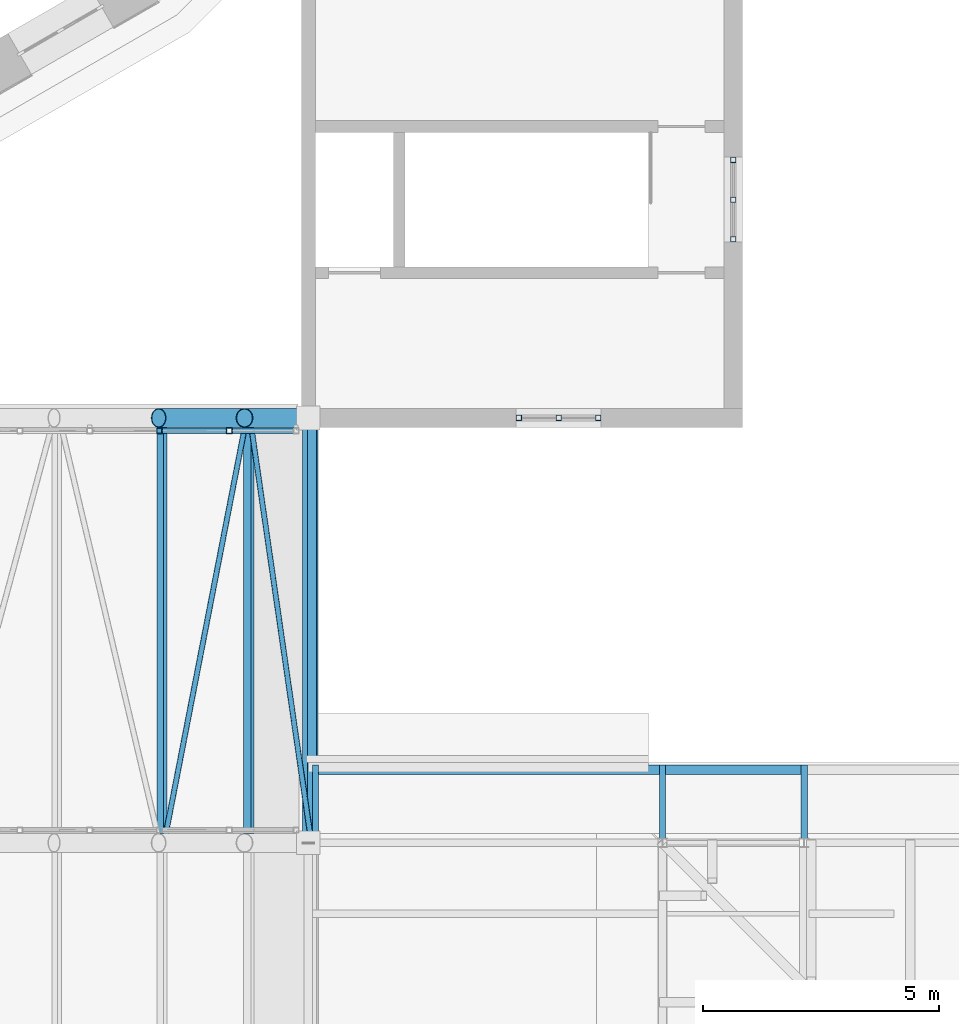
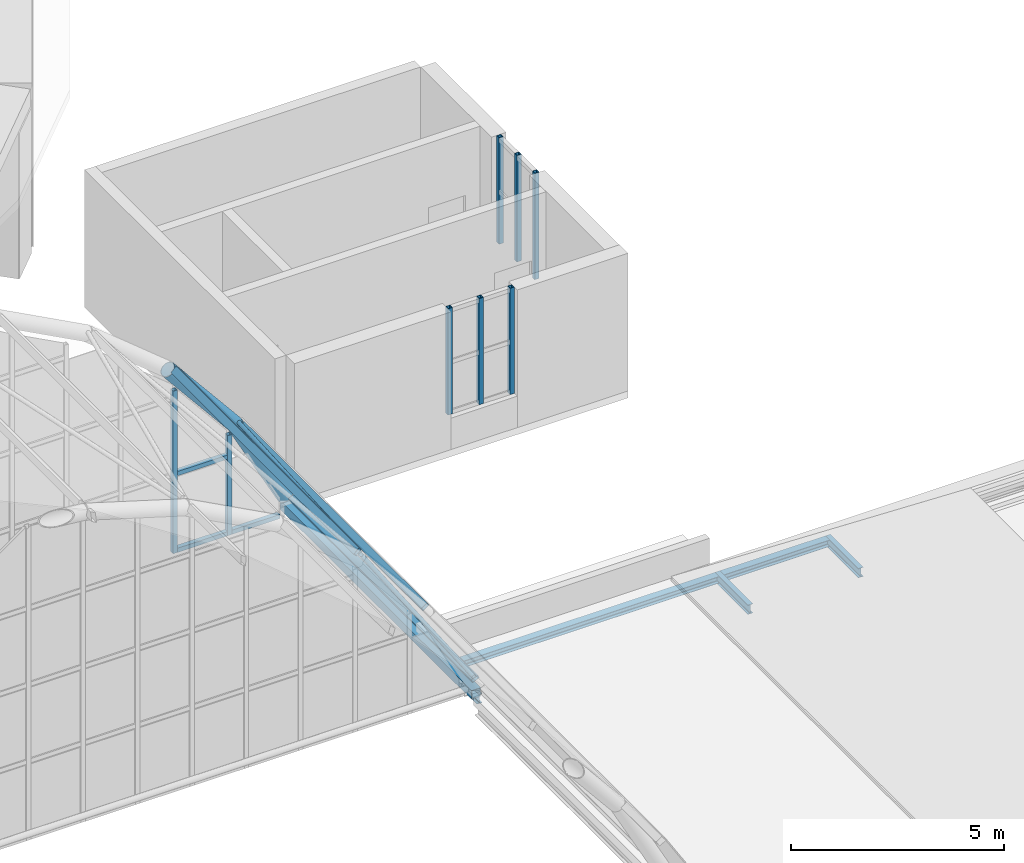
# One storey, part 58 of 121: 18 members, 6 beams, 3 elements without a shape of their own.
"""IFC4 building model written with IfcOpenShell, lengths in metres."""

from ifc_helpers import new_model, si_unit, direction, frame, origin, origin_2d, place, context, subcontext, project, spatial, hollow_rectangle, hollow_circle, i_section, extrude, material, material_profile, profile_set, type_object, element, aggregate, save


model = new_model("IFC4")

# Units and contexts
model_context = context("Model", 3, precision=1e-05, world=origin(), true_north=direction((0.0, 1.0)))
body_context = subcontext(model_context, "Body", "Model", "MODEL_VIEW")
ifc_project = project(units=[si_unit("LENGTHUNIT", "METRE"), si_unit("AREAUNIT", "SQUARE_METRE"), si_unit("VOLUMEUNIT", "CUBIC_METRE"), si_unit("PLANEANGLEUNIT", "RADIAN"), si_unit("MASSUNIT", "GRAM", prefix="KILO")], contexts=[model_context])

# Site, building, storey
site_placement = place(None, origin())
site = spatial("IfcSite", under=ifc_project, at=site_placement, CompositionType="ELEMENT")
building_placement = place(site_placement, origin())
building = spatial("IfcBuilding", under=site, at=building_placement, Name="Golden Quay Civic Hall", CompositionType="ELEMENT")
storey_placement = place(building_placement, frame((0.0, 0.0, 18.60009765625)))
storey = spatial("IfcBuildingStorey", under=building, at=storey_placement, Name="L04", CompositionType="ELEMENT", Elevation=18.60009765625)

# Beams
ifc_material_1 = material(Name="Steel S355", Category="steel")
ifc_material_profile_1 = material_profile(ifc_material_1, i_section(OverallWidth=0.199951171875, OverallDepth=0.18994140625, WebThickness=0.006591796875, FlangeThickness=0.010009765625, FilletRadius=0.01806640625, at=origin_2d()), Name="HEA 200")
ifc_profile_set_1 = profile_set([ifc_material_profile_1], Name="Steel S355")
beam_type_1 = type_object("IfcBeamType", Name="Eave edge beam HEA 200", PredefinedType="BEAM", material=ifc_profile_set_1)
beam_1_placement = place(storey_placement, frame((99.217529296875, 55.550048828125, -0.34521484375), z_axis=(1.0, 0.0, 0.0), x_axis=(0.0, 1.0, 0.0)))
element("IfcBeam", 1, at=beam_1_placement, inside=storey, type_object=beam_type_1, Name="Eave edge beam HEA 200 L04 13", PredefinedType="BEAM", context=body_context, shape_type="SweptSolid", body=[
    extrude(i_section(OverallWidth=0.199951171875, OverallDepth=0.18994140625, WebThickness=0.006591796875, FlangeThickness=0.010009765625, FilletRadius=0.01806640625, at=origin_2d()), origin(), (0.0, 0.0, 1.0), 7.215087890625),
])
beam_2_placement = place(storey_placement, frame((106.5673828125, 55.550048828125, -0.34521484375), z_axis=(1.0, 0.0, 0.0), x_axis=(0.0, 1.0, 0.0)))
element("IfcBeam", 2, at=beam_2_placement, inside=storey, type_object=beam_type_1, Name="Eave edge beam HEA 200 L04 14", PredefinedType="BEAM", context=body_context, shape_type="SweptSolid", body=[
    extrude(i_section(OverallWidth=0.199951171875, OverallDepth=0.18994140625, WebThickness=0.006591796875, FlangeThickness=0.010009765625, FilletRadius=0.01806640625, at=origin_2d()), origin(), (0.0, 0.0, 1.0), 2.865234375),
])
ifc_material_2 = material(Name="Steel S355", Category="steel")
ifc_material_profile_2 = material_profile(ifc_material_2, i_section(OverallWidth=0.135009765625, OverallDepth=0.27001953125, WebThickness=0.006591796875, FlangeThickness=0.01025390625, FilletRadius=0.014892578125, at=origin_2d()), Name="IPE 270")
ifc_profile_set_2 = profile_set([ifc_material_profile_2], Name="Steel S355")
beam_type_2 = type_object("IfcBeamType", Name="Eave stub IPE 270", PredefinedType="BEAM", material=ifc_profile_set_2)
for number, where, z_axis, x_axis, name in (
    (3, (99.14990234375, 54.094970703125, -0.385009765625), (0.0, 1.0, 0.0), (-1.0, 0.0, 0.0), "Eave stub IPE 270 L04 16"),
    (4, (106.5, 54.094970703125, -0.385009765625), (0.0, 1.0, 0.0), (-1.0, 0.0, 0.0), "Eave stub IPE 270 L04 17"),
    (5, (109.5, 54.094970703125, -0.385009765625), (0.0, 1.0, 0.0), (-1.0, 0.0, 0.0), "Eave stub IPE 270 L04 18"),
):
    element("IfcBeam", number, at=place(storey_placement, frame(where, z_axis=z_axis, x_axis=x_axis)), inside=storey, type_object=beam_type_2, Name=name, PredefinedType="BEAM", context=body_context, shape_type="SweptSolid", body=[
        extrude(i_section(OverallWidth=0.135009765625, OverallDepth=0.27001953125, WebThickness=0.006591796875, FlangeThickness=0.01025390625, FilletRadius=0.014892578125, at=origin_2d()), origin(), (0.0, 0.0, 1.0), 1.554931640625),
    ])

# Curtain wall, members
ifc_material_3 = material(Name="Fire-resisting glass and steel", Category="steel")
curtain_wall_type_1 = type_object("IfcCurtainWallType", Name="Fire-resisting glazed stair curtain wall EI 120", PredefinedType="NOTDEFINED", material=ifc_material_3)
curtain_wall_1_placement = place(storey_placement, origin())
curtain_wall_1 = element("IfcCurtainWall", 6, at=curtain_wall_1_placement, inside=storey, type_object=curtain_wall_type_1, Name="CW4 stair curtain wall", PredefinedType="NOTDEFINED")
ifc_material_4 = material(Name="Steel S355", Category="steel")
ifc_material_profile_3 = material_profile(ifc_material_4, hollow_rectangle(XDim=0.1201171875, YDim=0.1201171875, WallThickness=0.012451171875, at=origin_2d()), Name="SHS 120x120x12.5")
ifc_profile_set_3 = profile_set([ifc_material_profile_3], Name="Steel S355")
member_type_1 = type_object("IfcMemberType", Name="Fire-resisting steel stair mullion 120 x 120", PredefinedType="MULLION", material=ifc_profile_set_3)
member_1_placement = place(storey_placement, frame((103.4599609375, 63.0, 0.89990234375), z_axis=(0.0, 0.0, 1.0), x_axis=(0.0, 1.0, 0.0)))
member_1 = element("IfcMember", 7, at=member_1_placement, type_object=member_type_1, Name="CW4 mullion 1", PredefinedType="MULLION", context=body_context, shape_type="SweptSolid", body=[
    extrude(hollow_rectangle(XDim=0.1201171875, YDim=0.1201171875, WallThickness=0.012451171875, at=origin_2d()), origin(), (0.0, 0.0, 1.0), 3.050048828125),
])
member_2_placement = place(storey_placement, frame((104.300048828125, 63.0, 0.89990234375), z_axis=(0.0, 0.0, 1.0), x_axis=(0.0, 1.0, 0.0)))
member_2 = element("IfcMember", 8, at=member_2_placement, type_object=member_type_1, Name="CW4 mullion 2", PredefinedType="MULLION", context=body_context, shape_type="SweptSolid", body=[
    extrude(hollow_rectangle(XDim=0.1201171875, YDim=0.1201171875, WallThickness=0.012451171875, at=origin_2d()), origin(), (0.0, 0.0, 1.0), 3.050048828125),
])
member_3_placement = place(storey_placement, frame((105.139892578125, 63.0, 0.89990234375), z_axis=(0.0, 0.0, 1.0), x_axis=(0.0, 1.0, 0.0)))
member_3 = element("IfcMember", 9, at=member_3_placement, type_object=member_type_1, Name="CW4 mullion 3", PredefinedType="MULLION", context=body_context, shape_type="SweptSolid", body=[
    extrude(hollow_rectangle(XDim=0.1201171875, YDim=0.1201171875, WallThickness=0.012451171875, at=origin_2d()), origin(), (0.0, 0.0, 1.0), 3.050048828125),
])
aggregate(curtain_wall_1, [member_1, member_2, member_3])

curtain_wall_2_placement = place(storey_placement, origin())
curtain_wall_2 = element("IfcCurtainWall", 10, at=curtain_wall_2_placement, inside=storey, type_object=curtain_wall_type_1, Name="CW4 stair curtain wall", PredefinedType="NOTDEFINED")
member_4_placement = place(storey_placement, frame((108.0, 66.784912109375, 0.89990234375), z_axis=(0.0, 0.0, 1.0), x_axis=(-1.0, 0.0, 0.0)))
member_4 = element("IfcMember", 11, at=member_4_placement, type_object=member_type_1, Name="CW4 mullion 1", PredefinedType="MULLION", context=body_context, shape_type="SweptSolid", body=[
    extrude(hollow_rectangle(XDim=0.1201171875, YDim=0.1201171875, WallThickness=0.012451171875, at=origin_2d()), origin(), (0.0, 0.0, 1.0), 3.050048828125),
])
member_5_placement = place(storey_placement, frame((108.0, 67.625, 0.89990234375), z_axis=(0.0, 0.0, 1.0), x_axis=(-1.0, 0.0, 0.0)))
member_5 = element("IfcMember", 12, at=member_5_placement, type_object=member_type_1, Name="CW4 mullion 2", PredefinedType="MULLION", context=body_context, shape_type="SweptSolid", body=[
    extrude(hollow_rectangle(XDim=0.1201171875, YDim=0.1201171875, WallThickness=0.012451171875, at=origin_2d()), origin(), (0.0, 0.0, 1.0), 3.050048828125),
])
member_6_placement = place(storey_placement, frame((108.0, 68.465087890625, 0.89990234375), z_axis=(0.0, 0.0, 1.0), x_axis=(-1.0, 0.0, 0.0)))
member_6 = element("IfcMember", 13, at=member_6_placement, type_object=member_type_1, Name="CW4 mullion 3", PredefinedType="MULLION", context=body_context, shape_type="SweptSolid", body=[
    extrude(hollow_rectangle(XDim=0.1201171875, YDim=0.1201171875, WallThickness=0.012451171875, at=origin_2d()), origin(), (0.0, 0.0, 1.0), 3.050048828125),
])
aggregate(curtain_wall_2, [member_4, member_5, member_6])

# Members
ifc_material_5 = material(Name="Steel S355", Category="steel")
ifc_material_profile_4 = material_profile(ifc_material_5, hollow_circle(Radius=0.203125, WallThickness=0.01611328125, at=origin_2d()), Name="CHS 406.4x16")
ifc_profile_set_4 = profile_set([ifc_material_profile_4], Name="Steel S355")
member_type_2 = type_object("IfcMemberType", Name="Steel arch rib CHS 406.4x16", PredefinedType="USERDEFINED", material=ifc_profile_set_4)
for number, where, z_axis, x_axis, name in (
    (14, (95.826904296875, 63.0, 4.830810546875), (0.635608575128, 0.0, -0.772011489049), (0.0, 1.0, 0.0), "Arch rib 8 segment 11"),
    (15, (97.64599609375, 63.0, 2.621337890625), (0.473092307375, 0.0, -0.881012865231), (0.0, 1.0, 0.0), "Arch rib 8 segment 12"),
):
    element("IfcMember", number, at=place(storey_placement, frame(where, z_axis=z_axis, x_axis=x_axis)), inside=storey, type_object=member_type_2, Name=name, ObjectType="ARCH RIB", PredefinedType="USERDEFINED", context=body_context, shape_type="SweptSolid", body=[
        extrude(hollow_circle(Radius=0.203125, WallThickness=0.01611328125, at=origin_2d()), origin(), (0.0, 0.0, 1.0), 2.862060546875),
    ])
ifc_material_6 = material(Name="Steel S355", Category="steel")
ifc_material_profile_5 = material_profile(ifc_material_6, hollow_circle(Radius=0.05712890625, WallThickness=0.00634765625, at=origin_2d()), Name="CHS 114.3x6.3")
ifc_profile_set_5 = profile_set([ifc_material_profile_5], Name="Steel S355")
member_type_3 = type_object("IfcMemberType", Name="Steel bracing rod CHS 114.3x6.3", PredefinedType="BRACE", material=ifc_profile_set_5)
for number, where, z_axis, x_axis, name in (
    (16, (95.9765625, 54.175048828125, 4.8115234375), (0.185661631915, 0.956381450821, -0.225531104195), (-0.981673313641, 0.190571522755, 0.0), "Vault bracing north 11"),
    (17, (97.7890625, 62.824951171875, 2.5732421875), (0.138180562314, -0.9563854899, -0.257357585682), (0.989723086129, 0.142997247471, 0.0), "Vault bracing north 12"),
):
    element("IfcMember", number, at=place(storey_placement, frame(where, z_axis=z_axis, x_axis=x_axis)), inside=storey, type_object=member_type_3, Name=name, PredefinedType="BRACE", context=body_context, shape_type="SweptSolid", body=[
        extrude(hollow_circle(Radius=0.05712890625, WallThickness=0.00634765625, at=origin_2d()), origin(), (0.0, 0.0, 1.0), 9.04443359375),
    ])

# Curtain wall, members
ifc_material_7 = material(Name="Glass and aluminium", Category="aluminium")
curtain_wall_type_2 = type_object("IfcCurtainWallType", Name="Glazed curtain wall 1500 module", PredefinedType="NOTDEFINED", material=ifc_material_7)
curtain_wall_3_placement = place(storey_placement, origin())
curtain_wall_3 = element("IfcCurtainWall", 18, at=curtain_wall_3_placement, inside=storey, type_object=curtain_wall_type_2, Name="Curtain wall tympanum north", PredefinedType="NOTDEFINED")
ifc_material_8 = material(Name="Steel S355", Category="steel")
ifc_material_profile_6 = material_profile(ifc_material_8, hollow_rectangle(XDim=0.1201171875, YDim=0.1201171875, WallThickness=0.008056640625, at=origin_2d()), Name="SHS 120x120x8")
ifc_profile_set_6 = profile_set([ifc_material_profile_6], Name="Steel S355")
member_type_4 = type_object("IfcMemberType", Name="Steel mullion SHS 120x120x8", PredefinedType="MULLION", material=ifc_profile_set_6)
member_7_placement = place(storey_placement, frame((95.844482421875, 62.72998046875, -0.25), z_axis=(0.0, 0.0, 1.0), x_axis=(0.0, 1.0, 0.0)))
member_7 = element("IfcMember", 19, at=member_7_placement, type_object=member_type_4, Name="Tympanum mullion 17", PredefinedType="MULLION", context=body_context, shape_type="SweptSolid", body=[
    extrude(hollow_rectangle(XDim=0.1201171875, YDim=0.1201171875, WallThickness=0.008056640625, at=origin_2d()), origin(), (0.0, 0.0, 1.0), 4.6669921875),
])
member_8_placement = place(storey_placement, frame((97.322265625, 62.72998046875, -0.25), z_axis=(0.0, 0.0, 1.0), x_axis=(0.0, 1.0, 0.0)))
member_8 = element("IfcMember", 20, at=member_8_placement, type_object=member_type_4, Name="Tympanum mullion 18", PredefinedType="MULLION", context=body_context, shape_type="SweptSolid", body=[
    extrude(hollow_rectangle(XDim=0.1201171875, YDim=0.1201171875, WallThickness=0.008056640625, at=origin_2d()), origin(), (0.0, 0.0, 1.0), 2.8720703125),
])

# Members
ifc_material_9 = material(Name="Steel S355", Category="steel")
ifc_material_profile_7 = material_profile(ifc_material_9, hollow_rectangle(XDim=0.10009765625, YDim=0.199951171875, WallThickness=0.008056640625, at=origin_2d()), Name="RHS 200x100x8")
ifc_profile_set_7 = profile_set([ifc_material_profile_7], Name="Steel S355")
member_type_5 = type_object("IfcMemberType", Name="Steel purlin RHS 200x100x8", PredefinedType="PURLIN", material=ifc_profile_set_7)
for number, where, z_axis, x_axis, name in (
    (21, (95.89990234375, 54.203125, 4.90380859375), (0.0, 1.0, 0.0), (-0.708092289314, 0.0, 0.70611989762), "Purlin 7.11"),
    (22, (97.731689453125, 54.203125, 2.6787109375), (0.0, 1.0, 0.0), (-0.557018943033, 0.0, 0.830499787539), "Purlin 7.12"),
    (23, (99.09521484375, 54.203125, 0.1396484375), (0.0, 1.0, 0.0), (-0.384615384615, 0.0, 0.923076923077), "Purlin 7.13"),
):
    element("IfcMember", number, at=place(storey_placement, frame(where, z_axis=z_axis, x_axis=x_axis)), inside=storey, type_object=member_type_5, Name=name, PredefinedType="PURLIN", context=body_context, shape_type="SweptSolid", body=[
        extrude(hollow_rectangle(XDim=0.10009765625, YDim=0.199951171875, WallThickness=0.008056640625, at=origin_2d()), origin(), (0.0, 0.0, 1.0), 8.59375),
    ])

# Beam
ifc_material_10 = material(Name="Steel S355", Category="steel")
ifc_material_profile_8 = material_profile(ifc_material_10, hollow_rectangle(XDim=0.25, YDim=0.25, WallThickness=0.012451171875, at=origin_2d()), Name="SHS 250x250x12.5")
ifc_profile_set_8 = profile_set([ifc_material_profile_8], Name="Steel S355")
beam_type_3 = type_object("IfcBeamType", Name="Steel roof edge beam SHS 250x250x12.5", PredefinedType="BEAM", material=ifc_profile_set_8)
beam_3_placement = place(storey_placement, frame((99.0, 54.0, -0.125), z_axis=(0.0, 1.0, 0.0), x_axis=(-1.0, 0.0, 0.0)))
element("IfcBeam", 24, at=beam_3_placement, inside=storey, type_object=beam_type_3, Name="Roof edge beam east", PredefinedType="BEAM", context=body_context, shape_type="SweptSolid", body=[
    extrude(hollow_rectangle(XDim=0.25, YDim=0.25, WallThickness=0.012451171875, at=origin_2d()), origin(), (0.0, 0.0, 1.0), 9.0),
])

# Member
ifc_material_11 = material(Name="Steel S355", Category="steel")
ifc_material_profile_9 = material_profile(ifc_material_11, hollow_rectangle(XDim=0.1201171875, YDim=0.1201171875, WallThickness=0.008056640625, at=origin_2d()), Name="SHS 120x120x8")
ifc_profile_set_9 = profile_set([ifc_material_profile_9], Name="Steel S355")
member_type_6 = type_object("IfcMemberType", Name="Steel transom SHS 120x120x8", PredefinedType="USERDEFINED", material=ifc_profile_set_9)
member_9_placement = place(storey_placement, frame((95.904541015625, 62.72998046875, -0.190185546875), z_axis=(1.0, 0.0, 0.0), x_axis=(0.0, 1.0, 0.0)))
member_9 = element("IfcMember", 25, at=member_9_placement, type_object=member_type_6, Name="Tympanum transom 17.1", ObjectType="TRANSOM", PredefinedType="USERDEFINED", context=body_context, shape_type="SweptSolid", body=[
    extrude(hollow_rectangle(XDim=0.1201171875, YDim=0.1201171875, WallThickness=0.008056640625, at=origin_2d()), origin(), (0.0, 0.0, 1.0), 1.357666015625),
])

member_10_placement = place(storey_placement, frame((95.904541015625, 62.72998046875, 2.010009765625), z_axis=(1.0, 0.0, 0.0), x_axis=(0.0, 1.0, 0.0)))
member_10 = element("IfcMember", 26, at=member_10_placement, type_object=member_type_6, Name="Tympanum transom 17.2", ObjectType="TRANSOM", PredefinedType="USERDEFINED", context=body_context, shape_type="SweptSolid", body=[
    extrude(hollow_rectangle(XDim=0.1201171875, YDim=0.1201171875, WallThickness=0.008056640625, at=origin_2d()), origin(), (0.0, 0.0, 1.0), 1.357666015625),
])

member_11_placement = place(storey_placement, frame((97.38232421875, 62.72998046875, -0.190185546875), z_axis=(1.0, 0.0, 0.0), x_axis=(0.0, 1.0, 0.0)))
member_11 = element("IfcMember", 27, at=member_11_placement, type_object=member_type_6, Name="Tympanum transom 18.1", ObjectType="TRANSOM", PredefinedType="USERDEFINED", context=body_context, shape_type="SweptSolid", body=[
    extrude(hollow_rectangle(XDim=0.1201171875, YDim=0.1201171875, WallThickness=0.008056640625, at=origin_2d()), origin(), (0.0, 0.0, 1.0), 1.297607421875),
])

aggregate(curtain_wall_3, [member_7, member_8, member_9, member_10, member_11])

save(model, "model.ifc")
